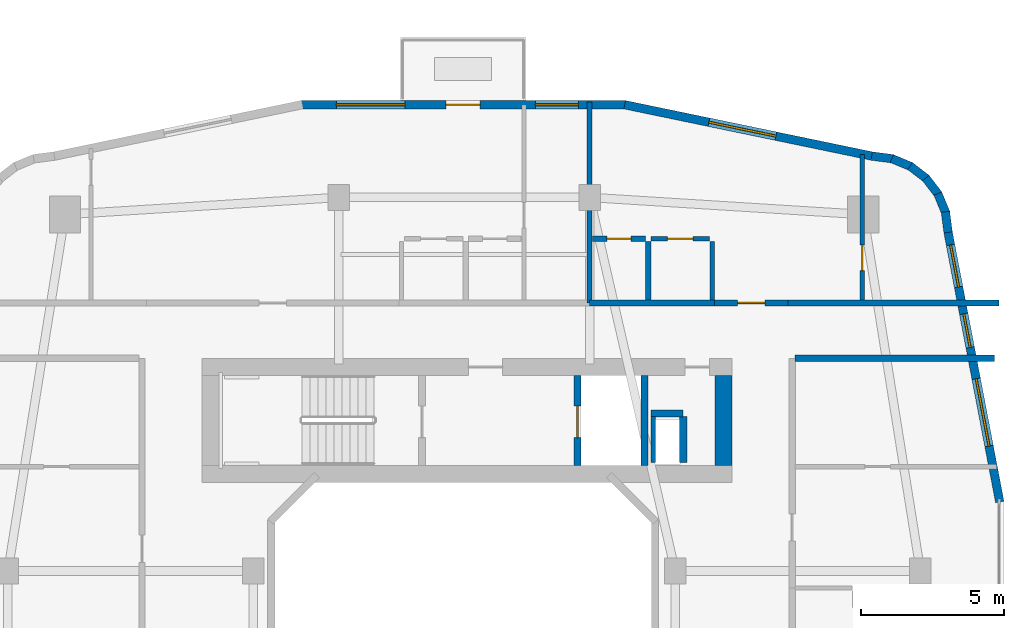
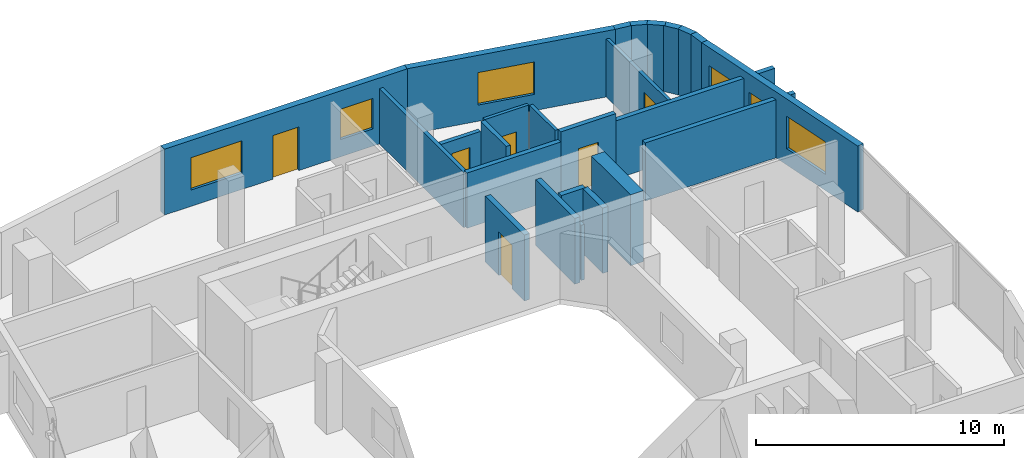
# One storey, part 16 of 22: 25 walls, 6 doors, 6 windows, 12 openings.
"""IFC4 building model written with IfcOpenShell, lengths in metres."""

from ifc_helpers import new_model, si_unit, derived_unit, direction, frame, frame_2d, origin, place, context, subcontext, project, spatial, rectangle, extrude, material, layer, layer_set, type_object, element, fill, save


model = new_model("IFC4")

# Units and contexts
model_context = context("Model", 3, precision=1e-05, world=origin(), true_north=direction((0.0, 1.0)))
body_context = subcontext(model_context, "Body", "Model", "MODEL_VIEW")
ifc_project = project(units=[si_unit("LENGTHUNIT", "METRE"), si_unit("AREAUNIT", "SQUARE_METRE"), si_unit("VOLUMEUNIT", "CUBIC_METRE"), si_unit("PLANEANGLEUNIT", "RADIAN"), si_unit("MASSUNIT", "GRAM", prefix="KILO"), derived_unit("THERMALTRANSMITTANCEUNIT", [(si_unit("POWERUNIT", "WATT"), 1), (si_unit("LENGTHUNIT", "METRE"), -2), (si_unit("THERMODYNAMICTEMPERATUREUNIT", "KELVIN"), -1)])], contexts=[model_context])

# Site, building, storey
site_placement = place(None, origin())
site = spatial("IfcSite", under=ifc_project, at=site_placement, CompositionType="ELEMENT")
building_placement = place(site_placement, origin())
building = spatial("IfcBuilding", under=site, at=building_placement, Name="Kivonza Crest Hotel", CompositionType="ELEMENT")
storey_placement = place(building_placement, frame((0.0, 0.0, 48.5)))
storey = spatial("IfcBuildingStorey", under=building, at=storey_placement, Name="L12", CompositionType="ELEMENT", Elevation=48.5)

# Walls
ifc_material_1 = material(Name="High-density acoustic masonry inter-tenancy wall", Category="masonry")
ifc_layer_1 = layer(ifc_material_1, 0.179931640625)
ifc_layer_set_1 = layer_set([ifc_layer_1], Name="High-density acoustic masonry inter-tenancy wall")
wall_type_1 = type_object("IfcWallType", Name="WL-ACOU-180", PredefinedType="SOLIDWALL", material=ifc_layer_set_1)
wall_1_placement = place(storey_placement, frame((81.39990234375, 37.89990234375, 0.0), z_axis=(0.0, 0.0, 1.0), x_axis=(0.0, 1.0, 0.0)))
element("IfcWall", 1, at=wall_1_placement, inside=storey, type_object=wall_type_1, Name="L12 interior partition WA-L12-T2N-DIV1", PredefinedType="SOLIDWALL", context=body_context, shape_type="SweptSolid", body=[
    extrude(rectangle(XDim=7.0400390625, YDim=0.179931640625, at=frame_2d((3.52001953125, 0.0))), origin(), (0.0, 0.0, 1.0), 2.72509765625),
])
ifc_material_2 = material(Name="Autoclaved aerated concrete blockwork", Category="masonry")
ifc_layer_2 = layer(ifc_material_2, 0.219970703125)
ifc_layer_set_2 = layer_set([ifc_layer_2], Name="Autoclaved aerated concrete blockwork")
wall_type_2 = type_object("IfcWallType", Name="WL-ACOU-220", PredefinedType="SOLIDWALL", material=ifc_layer_set_2)
wall_2_placement = place(storey_placement, frame((81.39990234375, 37.89990234375, 0.0), z_axis=(0.0, 0.0, 1.0), x_axis=(1.0, 0.0, 0.0)))
element("IfcWall", 2, at=wall_2_placement, inside=storey, type_object=wall_type_2, Name="L12 interior partition WA-L12-A02-LCORR", PredefinedType="SOLIDWALL", context=body_context, shape_type="SweptSolid", body=[
    extrude(rectangle(XDim=4.380126953125, YDim=0.219970703125, at=frame_2d((2.18994140625, 0.0))), origin(), (0.0, 0.0, 1.0), 2.72509765625),
])
wall_3_placement = place(storey_placement, frame((88.35009765625, 37.89990234375, 0.0), z_axis=(0.0, 0.0, 1.0), x_axis=(1.0, 0.0, 0.0)))
element("IfcWall", 3, at=wall_3_placement, inside=storey, type_object=wall_type_2, Name="L12 interior partition WA-L12-A02-RCORR", PredefinedType="SOLIDWALL", context=body_context, shape_type="SweptSolid", body=[
    extrude(rectangle(XDim=7.409912109375, YDim=0.219970703125, at=frame_2d((3.705078125, 0.0))), origin(), (0.0, 0.0, 1.0), 2.864990234375),
])

# Wall, opening, door
wall_4_placement = place(storey_placement, frame((85.780029296875, 37.89990234375, 0.0), z_axis=(0.0, 0.0, 1.0), x_axis=(1.0, 0.0, 0.0)))
wall_4 = element("IfcWall", 4, at=wall_4_placement, inside=storey, type_object=wall_type_2, Name="L12 interior partition WA-L12-A02-MCORR", PredefinedType="SOLIDWALL", context=body_context, shape_type="SweptSolid", body=[
    extrude(rectangle(XDim=2.570068359375, YDim=0.219970703125, at=frame_2d((1.28515625, 0.0))), origin(), (0.0, 0.0, 1.0), 3.219970703125),
])
opening_1_placement = place(wall_4_placement, frame((0.81005859375, 0.0, 0.0)))
opening_1 = element("IfcOpeningElement", 5, at=opening_1_placement, cuts=wall_4, Name="Opening DU-60", PredefinedType="OPENING", context=body_context, shape_type="SweptSolid", body=[
    extrude(rectangle(XDim=0.949951171875, YDim=2.10009765625, at=frame_2d((0.47509765625, 1.050048828125))), frame((0.0, 0.1201171875, 0.0), z_axis=(0.0, -1.0, 0.0), x_axis=(1.0, 0.0, 0.0)), (0.0, 0.0, 1.0), 0.239990234375),
])
ifc_material_3 = material(Name="Hardwood timber oak", Category="wood")
door_type_1 = type_object("IfcDoorType", Name="DR-UNIT-950", OperationType="NOTDEFINED", PredefinedType="DOOR", material=ifc_material_3)
door_1_placement = place(opening_1_placement, origin())
door_1 = element("IfcDoor", 6, at=door_1_placement, inside=storey, type_object=door_type_1, Name="L12 A02 apartment entrance fire door", OperationType="SINGLE_SWING_RIGHT", OverallHeight=2.10009765625, OverallWidth=0.949951171875, PredefinedType="DOOR", context=body_context, shape_type="SweptSolid", body=[
    extrude(rectangle(XDim=0.949951171875, YDim=2.10009765625, at=frame_2d((0.47509765625, 1.050048828125))), frame((0.0, 0.02490234375, 0.0), z_axis=(0.0, -1.0, 0.0), x_axis=(1.0, 0.0, 0.0)), (0.0, 0.0, 1.0), 0.050048828125),
])
fill(opening_1, door_1)

# Walls
wall_5_placement = place(storey_placement, frame((88.60009765625, 35.9599609375, 0.0), z_axis=(0.0, 0.0, 1.0), x_axis=(1.0, 0.0, 0.0)))
element("IfcWall", 7, at=wall_5_placement, inside=storey, type_object=wall_type_2, Name="L12 interior partition WA-L12-T2E-ENDN", PredefinedType="SOLIDWALL", context=body_context, shape_type="SweptSolid", body=[
    extrude(rectangle(XDim=7.0, YDim=0.219970703125, at=frame_2d((3.5, 0.0))), origin(), (0.0, 0.0, 1.0), 2.864990234375),
])
ifc_material_4 = material(Name="Concrete C60/75", Category="concrete")
ifc_layer_3 = layer(ifc_material_4, 0.60009765625)
ifc_layer_set_3 = layer_set([ifc_layer_3], Name="Concrete C60/75")
wall_type_3 = type_object("IfcWallType", Name="WL-CORE-600", PredefinedType="SHEAR", material=ifc_layer_set_3)
wall_6_placement = place(storey_placement, frame((86.10009765625, 32.199951171875, 0.0), z_axis=(0.0, 0.0, 1.0), x_axis=(0.0, 1.0, 0.0)))
element("IfcWall", 8, at=wall_6_placement, inside=storey, type_object=wall_type_3, Name="Core wall T2-N East L12", PredefinedType="SHEAR", context=body_context, shape_type="SweptSolid", body=[
    extrude(rectangle(XDim=3.16015625, YDim=0.60009765625, at=frame_2d((1.580078125, 0.0))), origin(), (0.0, 0.0, 1.0), 3.5),
])

# Wall, openings, windows
ifc_material_5 = material(Name="Precast concrete C40/50", Category="concrete")
ifc_layer_4 = layer(ifc_material_5, 0.300048828125)
ifc_layer_set_4 = layer_set([ifc_layer_4], Name="Precast concrete C40/50")
wall_type_4 = type_object("IfcWallType", Name="WL-EXT-300", PredefinedType="STANDARD", material=ifc_layer_set_4)
wall_7_placement = place(storey_placement, frame((95.782958984375, 30.91796875, 0.0), z_axis=(0.0, 0.0, 1.0), x_axis=(-0.188087874316, 0.982152203854, 0.0)))
wall_7 = element("IfcWall", 9, at=wall_7_placement, inside=storey, type_object=wall_type_4, Name="L12 T2 exterior insulated wall 18", PredefinedType="STANDARD", context=body_context, shape_type="SweptSolid", body=[
    extrude(rectangle(XDim=9.6337890625, YDim=0.300048828125, at=frame_2d((4.81689453125, 0.0))), origin(), (0.0, 0.0, 1.0), 3.25),
])
opening_2_placement = place(wall_7_placement, frame((1.9990234375, 0.0, 0.800048828125)))
opening_2 = element("IfcOpeningElement", 10, at=opening_2_placement, cuts=wall_7, Name="Opening WN-05", PredefinedType="OPENING", context=body_context, shape_type="SweptSolid", body=[
    extrude(rectangle(XDim=2.39990234375, YDim=1.60009765625, at=frame_2d((1.199951171875, 0.800048828125))), frame((0.0, 0.16015625, 0.0), z_axis=(0.0, -1.0, 0.0), x_axis=(1.0, 0.0, 0.0)), (0.0, 0.0, 1.0), 0.320068359375),
])
opening_3_placement = place(wall_7_placement, frame((5.52099609375, 0.0, 0.85009765625)))
opening_3 = element("IfcOpeningElement", 11, at=opening_3_placement, cuts=wall_7, Name="Opening WN-01", PredefinedType="OPENING", context=body_context, shape_type="SweptSolid", body=[
    extrude(rectangle(XDim=1.199951171875, YDim=1.5, at=frame_2d((0.60009765625, 0.75))), frame((0.0, 0.16015625, 0.0), z_axis=(0.0, -1.0, 0.0), x_axis=(1.0, 0.0, 0.0)), (0.0, 0.0, 1.0), 0.320068359375),
])
opening_4_placement = place(wall_7_placement, frame((7.681884765625, 0.0, 0.85009765625)))
opening_4 = element("IfcOpeningElement", 12, at=opening_4_placement, cuts=wall_7, Name="Opening WN-02", PredefinedType="OPENING", context=body_context, shape_type="SweptSolid", body=[
    extrude(rectangle(XDim=1.5, YDim=1.5, at=frame_2d((0.75, 0.75))), frame((0.0, 0.16015625, 0.0), z_axis=(0.0, -1.0, 0.0), x_axis=(1.0, 0.0, 0.0)), (0.0, 0.0, 1.0), 0.320068359375),
])
ifc_material_6 = material(Name="Thermally broken bronze aluminium and low-E double glazing", Category="aluminium")
window_type_1 = type_object("IfcWindowType", Name="WN-120x150", PartitioningType="SINGLE_PANEL", PredefinedType="WINDOW", material=ifc_material_6)
window_1_placement = place(opening_3_placement, origin())
window_1 = element("IfcWindow", 13, at=window_1_placement, inside=storey, type_object=window_type_1, Name="L12 T2 facade window 18 bay 2", OverallHeight=1.5, OverallWidth=1.199951171875, PartitioningType="SINGLE_PANEL", PredefinedType="WINDOW", context=body_context, shape_type="SweptSolid", body=[
    extrude(rectangle(XDim=1.199951171875, YDim=1.5, at=frame_2d((0.60009765625, 0.75))), frame((0.0, 0.030029296875, 0.0), z_axis=(0.0, -1.0, 0.0), x_axis=(1.0, 0.0, 0.0)), (0.0, 0.0, 1.0), 0.06005859375),
])
fill(opening_3, window_1)
window_type_2 = type_object("IfcWindowType", Name="WN-150x150", PartitioningType="DOUBLE_PANEL_VERTICAL", PredefinedType="WINDOW", material=ifc_material_6)
window_2_placement = place(opening_4_placement, origin())
window_2 = element("IfcWindow", 14, at=window_2_placement, inside=storey, type_object=window_type_2, Name="L12 T2 facade window 18 bay 3", OverallHeight=1.5, OverallWidth=1.5, PartitioningType="SINGLE_PANEL", PredefinedType="WINDOW", context=body_context, shape_type="SweptSolid", body=[
    extrude(rectangle(XDim=1.5, YDim=1.5, at=frame_2d((0.75, 0.75))), frame((0.0, 0.030029296875, 0.0), z_axis=(0.0, -1.0, 0.0), x_axis=(1.0, 0.0, 0.0)), (0.0, 0.0, 1.0), 0.06005859375),
])
fill(opening_4, window_2)
window_type_3 = type_object("IfcWindowType", Name="WN-240x160", PartitioningType="TRIPLE_PANEL_VERTICAL", PredefinedType="WINDOW", material=ifc_material_6)
window_3_placement = place(opening_2_placement, origin())
window_3 = element("IfcWindow", 15, at=window_3_placement, inside=storey, type_object=window_type_3, Name="L12 T2 facade window 18 bay 1", OverallHeight=1.60009765625, OverallWidth=2.39990234375, PartitioningType="SINGLE_PANEL", PredefinedType="WINDOW", context=body_context, shape_type="SweptSolid", body=[
    extrude(rectangle(XDim=2.39990234375, YDim=1.60009765625, at=frame_2d((1.199951171875, 0.800048828125))), frame((0.0, 0.030029296875, 0.0), z_axis=(0.0, -1.0, 0.0), x_axis=(1.0, 0.0, 0.0)), (0.0, 0.0, 1.0), 0.06005859375),
])
fill(opening_2, window_3)

# Walls
wall_8_placement = place(storey_placement, frame((93.971923828125, 40.373046875, 0.0), z_axis=(0.0, 0.0, 1.0), x_axis=(-0.130255288807, 0.991480488834, 0.0)))
element("IfcWall", 16, at=wall_8_placement, inside=storey, type_object=wall_type_4, Name="L12 T2 exterior insulated wall 19", PredefinedType="STANDARD", context=body_context, shape_type="SweptSolid", body=[
    extrude(rectangle(XDim=0.72900390625, YDim=0.300048828125, at=frame_2d((0.364501953125, 0.0))), origin(), (0.0, 0.0, 1.0), 3.25),
])
wall_9_placement = place(storey_placement, frame((93.89599609375, 41.044921875, 0.0), z_axis=(0.0, 0.0, 1.0), x_axis=(-0.383267045233, 0.923637576129, 0.0)))
element("IfcWall", 17, at=wall_9_placement, inside=storey, type_object=wall_type_4, Name="L12 T2 exterior insulated wall 20", PredefinedType="STANDARD", context=body_context, shape_type="SweptSolid", body=[
    extrude(rectangle(XDim=0.745849609375, YDim=0.300048828125, at=frame_2d((0.373046875, 0.0))), origin(), (0.0, 0.0, 1.0), 3.25),
])
for number, where, z_axis, x_axis, name in (
    (18, (93.64111328125, 41.68896484375, 0.0), (0.0, 0.0, 1.0), (-0.608603261071, 0.793474681772, 0.0), "L12 T2 exterior insulated wall 21"),
    (19, (93.22900390625, 42.24609375, 0.0), (0.0, 0.0, 1.0), (-0.79363269798, 0.608397189915, 0.0), "L12 T2 exterior insulated wall 22"),
):
    element("IfcWall", number, at=place(storey_placement, frame(where, z_axis=z_axis, x_axis=x_axis)), inside=storey, type_object=wall_type_4, Name=name, PredefinedType="STANDARD", context=body_context, shape_type="SweptSolid", body=[
        extrude(rectangle(XDim=0.74609375, YDim=0.300048828125, at=frame_2d((0.373046875, 0.0))), origin(), (0.0, 0.0, 1.0), 3.25),
    ])
wall_10_placement = place(storey_placement, frame((92.68603515625, 42.676025390625, 0.0), z_axis=(0.0, 0.0, 1.0), x_axis=(-0.923637576129, 0.383267045233, 0.0)))
element("IfcWall", 20, at=wall_10_placement, inside=storey, type_object=wall_type_4, Name="L12 T2 exterior insulated wall 23", PredefinedType="STANDARD", context=body_context, shape_type="SweptSolid", body=[
    extrude(rectangle(XDim=0.745849609375, YDim=0.300048828125, at=frame_2d((0.373046875, 0.0))), origin(), (0.0, 0.0, 1.0), 3.25),
])
wall_11_placement = place(storey_placement, frame((92.051025390625, 42.952880859375, 0.0), z_axis=(0.0, 0.0, 1.0), x_axis=(-0.991559404866, 0.129653178221, 0.0)))
element("IfcWall", 21, at=wall_11_placement, inside=storey, type_object=wall_type_4, Name="L12 T2 exterior insulated wall 24", PredefinedType="STANDARD", context=body_context, shape_type="SweptSolid", body=[
    extrude(rectangle(XDim=0.764404296875, YDim=0.300048828125, at=frame_2d((0.38232421875, 0.0))), origin(), (0.0, 0.0, 1.0), 3.25),
])

# Wall, opening, window
wall_12_placement = place(storey_placement, frame((91.298095703125, 43.051025390625, 0.0), z_axis=(0.0, 0.0, 1.0), x_axis=(-0.979120793441, 0.203279295189, 0.0)))
wall_12 = element("IfcWall", 22, at=wall_12_placement, inside=storey, type_object=wall_type_4, Name="L12 T2 exterior insulated wall 25", PredefinedType="STANDARD", context=body_context, shape_type="SweptSolid", body=[
    extrude(rectangle(XDim=8.85498046875, YDim=0.300048828125, at=frame_2d((4.427490234375, 0.0))), origin(), (0.0, 0.0, 1.0), 3.25),
])
opening_5_placement = place(wall_12_placement, frame((3.43896484375, 0.0, 0.800048828125)))
opening_5 = element("IfcOpeningElement", 23, at=opening_5_placement, cuts=wall_12, Name="Opening WN-05", PredefinedType="OPENING", context=body_context, shape_type="SweptSolid", body=[
    extrude(rectangle(XDim=2.39990234375, YDim=1.60009765625, at=frame_2d((1.199951171875, 0.800048828125))), frame((0.0, 0.16015625, 0.0), z_axis=(0.0, -1.0, 0.0), x_axis=(1.0, 0.0, 0.0)), (0.0, 0.0, 1.0), 0.320068359375),
])
window_4_placement = place(opening_5_placement, origin())
window_4 = element("IfcWindow", 24, at=window_4_placement, inside=storey, type_object=window_type_3, Name="L12 T2 facade window 25", OverallHeight=1.60009765625, OverallWidth=2.39990234375, PartitioningType="SINGLE_PANEL", PredefinedType="WINDOW", context=body_context, shape_type="SweptSolid", body=[
    extrude(rectangle(XDim=2.39990234375, YDim=1.60009765625, at=frame_2d((1.199951171875, 0.800048828125))), frame((0.0, 0.030029296875, 0.0), z_axis=(0.0, -1.0, 0.0), x_axis=(1.0, 0.0, 0.0)), (0.0, 0.0, 1.0), 0.06005859375),
])
fill(opening_5, window_4)

# Wall, openings, door, windows
wall_13_placement = place(storey_placement, frame((82.673095703125, 44.85009765625, 0.0), z_axis=(0.0, 0.0, 1.0), x_axis=(-1.0, 0.0, 0.0)))
wall_13 = element("IfcWall", 25, at=wall_13_placement, inside=storey, type_object=wall_type_4, Name="L12 T2 exterior insulated wall 26", PredefinedType="STANDARD", context=body_context, shape_type="SweptSolid", body=[
    extrude(rectangle(XDim=11.39111328125, YDim=0.300048828125, at=frame_2d((5.695556640625, 0.0))), origin(), (0.0, 0.0, 1.0), 3.25),
])
opening_6_placement = place(wall_13_placement, frame((5.113037109375, 0.0, 0.0)))
opening_6 = element("IfcOpeningElement", 26, at=opening_6_placement, cuts=wall_13, Name="Opening DT-120", PredefinedType="OPENING", context=body_context, shape_type="SweptSolid", body=[
    extrude(rectangle(XDim=1.199951171875, YDim=2.14990234375, at=frame_2d((0.60009765625, 1.074951171875))), frame((0.0, 0.16015625, 0.0), z_axis=(0.0, -1.0, 0.0), x_axis=(1.0, 0.0, 0.0)), (0.0, 0.0, 1.0), 0.320068359375),
])
opening_7_placement = place(wall_13_placement, frame((1.673095703125, 0.0, 0.85009765625)))
opening_7 = element("IfcOpeningElement", 27, at=opening_7_placement, cuts=wall_13, Name="Opening WN-02", PredefinedType="OPENING", context=body_context, shape_type="SweptSolid", body=[
    extrude(rectangle(XDim=1.5, YDim=1.5, at=frame_2d((0.75, 0.75))), frame((0.0, 0.16015625, 0.0), z_axis=(0.0, -1.0, 0.0), x_axis=(1.0, 0.0, 0.0)), (0.0, 0.0, 1.0), 0.320068359375),
])
opening_8_placement = place(wall_13_placement, frame((7.757080078125, 0.0, 0.800048828125)))
opening_8 = element("IfcOpeningElement", 28, at=opening_8_placement, cuts=wall_13, Name="Opening WN-05", PredefinedType="OPENING", context=body_context, shape_type="SweptSolid", body=[
    extrude(rectangle(XDim=2.39990234375, YDim=1.60009765625, at=frame_2d((1.199951171875, 0.800048828125))), frame((0.0, 0.16015625, 0.0), z_axis=(0.0, -1.0, 0.0), x_axis=(1.0, 0.0, 0.0)), (0.0, 0.0, 1.0), 0.320068359375),
])
ifc_material_7 = material(Name="Anodised bronze aluminium and laminated safety glass", Category="aluminium")
door_type_2 = type_object("IfcDoorType", Name="DR-TERR-1200", OperationType="NOTDEFINED", PredefinedType="DOOR", material=ifc_material_7)
door_2_placement = place(opening_6_placement, frame((1.199951171875, 0.0, 0.0), z_axis=(0.0, 0.0, 1.0), x_axis=(-1.0, 0.0, 0.0)))
door_2 = element("IfcDoor", 29, at=door_2_placement, inside=storey, type_object=door_type_2, Name="T2 L12 NE sky-garden bridge access door", OperationType="SINGLE_SWING_RIGHT", OverallHeight=2.14990234375, OverallWidth=1.199951171875, PredefinedType="DOOR", context=body_context, shape_type="SweptSolid", body=[
    extrude(rectangle(XDim=1.199951171875, YDim=2.14990234375, at=frame_2d((0.60009765625, 1.074951171875))), frame((0.0, 0.02490234375, 0.0), z_axis=(0.0, -1.0, 0.0), x_axis=(1.0, 0.0, 0.0)), (0.0, 0.0, 1.0), 0.050048828125),
])
fill(opening_6, door_2)
window_5_placement = place(opening_7_placement, origin())
window_5 = element("IfcWindow", 30, at=window_5_placement, inside=storey, type_object=window_type_2, Name="L12 T2 facade window 26 bay 1", OverallHeight=1.5, OverallWidth=1.5, PartitioningType="SINGLE_PANEL", PredefinedType="WINDOW", context=body_context, shape_type="SweptSolid", body=[
    extrude(rectangle(XDim=1.5, YDim=1.5, at=frame_2d((0.75, 0.75))), frame((0.0, 0.030029296875, 0.0), z_axis=(0.0, -1.0, 0.0), x_axis=(1.0, 0.0, 0.0)), (0.0, 0.0, 1.0), 0.06005859375),
])
fill(opening_7, window_5)
window_6_placement = place(opening_8_placement, origin())
window_6 = element("IfcWindow", 31, at=window_6_placement, inside=storey, type_object=window_type_3, Name="L12 T2 facade window 26 bay 2", OverallHeight=1.60009765625, OverallWidth=2.39990234375, PartitioningType="SINGLE_PANEL", PredefinedType="WINDOW", context=body_context, shape_type="SweptSolid", body=[
    extrude(rectangle(XDim=2.39990234375, YDim=1.60009765625, at=frame_2d((1.199951171875, 0.800048828125))), frame((0.0, 0.030029296875, 0.0), z_axis=(0.0, -1.0, 0.0), x_axis=(1.0, 0.0, 0.0)), (0.0, 0.0, 1.0), 0.06005859375),
])
fill(opening_8, window_6)

# Walls
ifc_material_8 = material(Name="Concrete blockwork fire-compartment wall", Category="masonry")
ifc_layer_5 = layer(ifc_material_8, 0.25)
ifc_layer_set_5 = layer_set([ifc_layer_5], Name="Concrete blockwork fire-compartment wall")
wall_type_5 = type_object("IfcWallType", Name="WL-FIRE-250", PredefinedType="SOLIDWALL", material=ifc_layer_set_5)
wall_14_placement = place(storey_placement, frame((84.679931640625, 32.300048828125, 0.0), z_axis=(0.0, 0.0, 1.0), x_axis=(0.0, 1.0, 0.0)))
element("IfcWall", 32, at=wall_14_placement, inside=storey, type_object=wall_type_5, Name="L12 interior partition WA-L12-T2-N-MEPR-E", PredefinedType="SOLIDWALL", context=body_context, shape_type="SweptSolid", body=[
    extrude(rectangle(XDim=1.619873046875, YDim=0.25, at=frame_2d((0.81005859375, 0.0))), origin(), (0.0, 0.0, 1.0), 3.219970703125),
])
wall_15_placement = place(storey_placement, frame((83.550048828125, 34.02001953125, 0.0), z_axis=(0.0, 0.0, 1.0), x_axis=(1.0, 0.0, 0.0)))
element("IfcWall", 33, at=wall_15_placement, inside=storey, type_object=wall_type_5, Name="L12 interior partition WA-L12-T2-N-MEPR-H", PredefinedType="SOLIDWALL", context=body_context, shape_type="SweptSolid", body=[
    extrude(rectangle(XDim=1.1298828125, YDim=0.25, at=frame_2d((0.56494140625, 0.0))), origin(), (0.0, 0.0, 1.0), 3.219970703125),
])
ifc_material_9 = material(Name="Twin-stud acoustic gypsum board partition", Category="gypsum")
ifc_layer_6 = layer(ifc_material_9, 0.14990234375)
ifc_layer_set_6 = layer_set([ifc_layer_6], Name="Twin-stud acoustic gypsum board partition")
wall_type_6 = type_object("IfcWallType", Name="WL-PART-150", PredefinedType="PARTITIONING", material=ifc_layer_set_6)
wall_16_placement = place(storey_placement, frame((83.6298828125, 32.300048828125, 0.0), z_axis=(0.0, 0.0, 1.0), x_axis=(0.0, 1.0, 0.0)))
element("IfcWall", 34, at=wall_16_placement, inside=storey, type_object=wall_type_6, Name="L12 interior partition WA-L12-T2-N-MEPR-W", PredefinedType="PARTITIONING", context=body_context, shape_type="SweptSolid", body=[
    extrude(rectangle(XDim=1.619873046875, YDim=0.14990234375, at=frame_2d((0.81005859375, 0.0))), origin(), (0.0, 0.0, 1.0), 2.72509765625),
])

# Wall, opening, door
wall_17_placement = place(storey_placement, frame((90.9599609375, 38.0, 0.0), z_axis=(0.0, 0.0, 1.0), x_axis=(0.0, 1.0, 0.0)))
wall_17 = element("IfcWall", 35, at=wall_17_placement, inside=storey, type_object=wall_type_6, Name="L12 interior partition WP-L12-A02-BDW1", PredefinedType="PARTITIONING", context=body_context, shape_type="SweptSolid", body=[
    extrude(rectangle(XDim=5.113037109375, YDim=0.14990234375, at=frame_2d((2.556640625, 0.0))), origin(), (0.0, 0.0, 1.0), 2.864990234375),
])
opening_9_placement = place(wall_17_placement, frame((1.030029296875, 0.0, 0.0)))
opening_9 = element("IfcOpeningElement", 36, at=opening_9_placement, cuts=wall_17, Name="Opening DI-90", PredefinedType="OPENING", context=body_context, shape_type="SweptSolid", body=[
    extrude(rectangle(XDim=0.89990234375, YDim=2.10009765625, at=frame_2d((0.449951171875, 1.050048828125))), frame((0.0, 0.0849609375, 0.0), z_axis=(0.0, -1.0, 0.0), x_axis=(1.0, 0.0, 0.0)), (0.0, 0.0, 1.0), 0.169921875),
])
door_type_3 = type_object("IfcDoorType", Name="DR-INT-900", OperationType="NOTDEFINED", PredefinedType="DOOR", material=ifc_material_3)
door_3_placement = place(opening_9_placement, origin())
door_3 = element("IfcDoor", 37, at=door_3_placement, inside=storey, type_object=door_type_3, Name="L12 A02 bedroom 1 door", OperationType="SINGLE_SWING_LEFT", OverallHeight=2.10009765625, OverallWidth=0.89990234375, PredefinedType="DOOR", context=body_context, shape_type="SweptSolid", body=[
    extrude(rectangle(XDim=0.89990234375, YDim=2.10009765625, at=frame_2d((0.449951171875, 1.050048828125))), frame((0.0, 0.02490234375, 0.0), z_axis=(0.0, -1.0, 0.0), x_axis=(1.0, 0.0, 0.0)), (0.0, 0.0, 1.0), 0.050048828125),
])
fill(opening_9, door_3)

# Wall
wall_18_placement = place(storey_placement, frame((85.699951171875, 38.0, 0.0), z_axis=(0.0, 0.0, 1.0), x_axis=(0.0, 1.0, 0.0)))
element("IfcWall", 38, at=wall_18_placement, inside=storey, type_object=wall_type_6, Name="L12 interior partition WP-L12-A02-KF", PredefinedType="PARTITIONING", context=body_context, shape_type="SweptSolid", body=[
    extrude(rectangle(XDim=2.050048828125, YDim=0.14990234375, at=frame_2d((1.02490234375, 0.0))), origin(), (0.0, 0.0, 1.0), 3.219970703125),
])

# Wall, opening, door
wall_19_placement = place(storey_placement, frame((83.550048828125, 40.14990234375, 0.0), z_axis=(0.0, 0.0, 1.0), x_axis=(1.0, 0.0, 0.0)))
wall_19 = element("IfcWall", 39, at=wall_19_placement, inside=storey, type_object=wall_type_6, Name="L12 interior partition WP-L12-A02-KSVC", PredefinedType="PARTITIONING", context=body_context, shape_type="SweptSolid", body=[
    extrude(rectangle(XDim=2.050048828125, YDim=0.14990234375, at=frame_2d((1.02490234375, 0.0))), origin(), (0.0, 0.0, 1.0), 3.219970703125),
])
opening_10_placement = place(wall_19_placement, frame((0.574951171875, 0.0, 0.0)))
opening_10 = element("IfcOpeningElement", 40, at=opening_10_placement, cuts=wall_19, Name="Opening DI-90", PredefinedType="OPENING", context=body_context, shape_type="SweptSolid", body=[
    extrude(rectangle(XDim=0.89990234375, YDim=2.10009765625, at=frame_2d((0.449951171875, 1.050048828125))), frame((0.0, 0.0849609375, 0.0), z_axis=(0.0, -1.0, 0.0), x_axis=(1.0, 0.0, 0.0)), (0.0, 0.0, 1.0), 0.169921875),
])
door_4_placement = place(opening_10_placement, origin())
door_4 = element("IfcDoor", 41, at=door_4_placement, inside=storey, type_object=door_type_3, Name="L12 A02 apartment kitchen door", OperationType="SINGLE_SWING_RIGHT", OverallHeight=2.10009765625, OverallWidth=0.89990234375, PredefinedType="DOOR", context=body_context, shape_type="SweptSolid", body=[
    extrude(rectangle(XDim=0.89990234375, YDim=2.10009765625, at=frame_2d((0.449951171875, 1.050048828125))), frame((0.0, 0.02490234375, 0.0), z_axis=(0.0, -1.0, 0.0), x_axis=(1.0, 0.0, 0.0)), (0.0, 0.0, 1.0), 0.050048828125),
])
fill(opening_10, door_4)

# Wall
ifc_material_10 = material(Name="Moisture-resistant plumbing chase partition wall", Category="gypsum")
ifc_layer_7 = layer(ifc_material_10, 0.199951171875)
ifc_layer_set_7 = layer_set([ifc_layer_7], Name="Moisture-resistant plumbing chase partition wall")
wall_type_7 = type_object("IfcWallType", Name="WL-PLUMB-200", PredefinedType="PLUMBINGWALL", material=ifc_layer_set_7)
wall_20_placement = place(storey_placement, frame((83.449951171875, 38.0, 0.0), z_axis=(0.0, 0.0, 1.0), x_axis=(0.0, 1.0, 0.0)))
element("IfcWall", 42, at=wall_20_placement, inside=storey, type_object=wall_type_7, Name="L12 interior partition WW-L12-A02-BK", PredefinedType="PLUMBINGWALL", context=body_context, shape_type="SweptSolid", body=[
    extrude(rectangle(XDim=2.050048828125, YDim=0.199951171875, at=frame_2d((1.02490234375, 0.0))), origin(), (0.0, 0.0, 1.0), 3.219970703125),
])

# Wall, opening, door
wall_21_placement = place(storey_placement, frame((81.5, 40.14990234375, 0.0), z_axis=(0.0, 0.0, 1.0), x_axis=(1.0, 0.0, 0.0)))
wall_21 = element("IfcWall", 43, at=wall_21_placement, inside=storey, type_object=wall_type_7, Name="L12 interior partition WW-L12-A02-BSVC", PredefinedType="PLUMBINGWALL", context=body_context, shape_type="SweptSolid", body=[
    extrude(rectangle(XDim=1.85009765625, YDim=0.199951171875, at=frame_2d((0.925048828125, 0.0))), origin(), (0.0, 0.0, 1.0), 2.72509765625),
])
opening_11_placement = place(wall_21_placement, frame((0.5, 0.0, 0.0)))
opening_11 = element("IfcOpeningElement", 44, at=opening_11_placement, cuts=wall_21, Name="Opening DI-85", PredefinedType="OPENING", context=body_context, shape_type="SweptSolid", body=[
    extrude(rectangle(XDim=0.85009765625, YDim=2.10009765625, at=frame_2d((0.425048828125, 1.050048828125))), frame((0.0, 0.10986328125, 0.0), z_axis=(0.0, -1.0, 0.0), x_axis=(1.0, 0.0, 0.0)), (0.0, 0.0, 1.0), 0.219970703125),
])
door_type_4 = type_object("IfcDoorType", Name="DR-INT-850", OperationType="NOTDEFINED", PredefinedType="DOOR", material=ifc_material_3)
door_5_placement = place(opening_11_placement, origin())
door_5 = element("IfcDoor", 45, at=door_5_placement, inside=storey, type_object=door_type_4, Name="L12 A02 apartment bathroom door", OperationType="SINGLE_SWING_LEFT", OverallHeight=2.10009765625, OverallWidth=0.85009765625, PredefinedType="DOOR", context=body_context, shape_type="SweptSolid", body=[
    extrude(rectangle(XDim=0.85009765625, YDim=2.10009765625, at=frame_2d((0.425048828125, 1.050048828125))), frame((0.0, 0.02490234375, 0.0), z_axis=(0.0, -1.0, 0.0), x_axis=(1.0, 0.0, 0.0)), (0.0, 0.0, 1.0), 0.050048828125),
])
fill(opening_11, door_5)

ifc_material_11 = material(Name="Concrete C50/60", Category="concrete")
ifc_layer_8 = layer(ifc_material_11, 0.25)
ifc_layer_set_8 = layer_set([ifc_layer_8], Name="Concrete C50/60")
wall_type_8 = type_object("IfcWallType", Name="WL-SHAFT-250", PredefinedType="STANDARD", material=ifc_layer_set_8)
wall_22_placement = place(storey_placement, frame((80.97509765625, 32.199951171875, 0.0), z_axis=(0.0, 0.0, 1.0), x_axis=(0.0, 1.0, 0.0)))
wall_22 = element("IfcWall", 46, at=wall_22_placement, inside=storey, type_object=wall_type_8, Name="Core shaft wall T2-N FFL-W L12", PredefinedType="STANDARD", context=body_context, shape_type="SweptSolid", body=[
    extrude(rectangle(XDim=3.16015625, YDim=0.25, at=frame_2d((1.580078125, 0.0))), origin(), (0.0, 0.0, 1.0), 3.25),
])
opening_12_placement = place(wall_22_placement, frame((0.97998046875, 0.0, 0.0)))
opening_12 = element("IfcOpeningElement", 47, at=opening_12_placement, cuts=wall_22, Name="Opening LD-120", PredefinedType="OPENING", context=body_context, shape_type="SweptSolid", body=[
    extrude(rectangle(XDim=1.10009765625, YDim=2.14990234375, at=frame_2d((0.550048828125, 1.074951171875))), frame((0.0, 0.135009765625, 0.0), z_axis=(0.0, -1.0, 0.0), x_axis=(1.0, 0.0, 0.0)), (0.0, 0.0, 1.0), 0.27001953125),
])
ifc_material_12 = material(Name="Stainless steel", Category="steel")
door_type_5 = type_object("IfcDoorType", Name="DR-LD120-1100", OperationType="NOTDEFINED", PredefinedType="DOOR", material=ifc_material_12)
door_6_placement = place(opening_12_placement, origin())
door_6 = element("IfcDoor", 48, at=door_6_placement, inside=storey, type_object=door_type_5, Name="L12 FFL-T2 firefighting lift sliding landing door", OperationType="DOUBLE_DOOR_SLIDING", OverallHeight=2.14990234375, OverallWidth=1.10009765625, PredefinedType="DOOR", context=body_context, shape_type="SweptSolid", body=[
    extrude(rectangle(XDim=1.10009765625, YDim=2.14990234375, at=frame_2d((0.550048828125, 1.074951171875))), frame((0.0, 0.02490234375, 0.0), z_axis=(0.0, -1.0, 0.0), x_axis=(1.0, 0.0, 0.0)), (0.0, 0.0, 1.0), 0.050048828125),
])
fill(opening_12, door_6)

# Wall
wall_23_placement = place(storey_placement, frame((83.324951171875, 32.199951171875, 0.0), z_axis=(0.0, 0.0, 1.0), x_axis=(0.0, 1.0, 0.0)))
element("IfcWall", 49, at=wall_23_placement, inside=storey, type_object=wall_type_8, Name="Core shaft wall T2-N FFL-E L12", PredefinedType="STANDARD", context=body_context, shape_type="SweptSolid", body=[
    extrude(rectangle(XDim=3.16015625, YDim=0.25, at=frame_2d((1.580078125, 0.0))), origin(), (0.0, 0.0, 1.0), 3.25),
])

save(model, "model.ifc")
